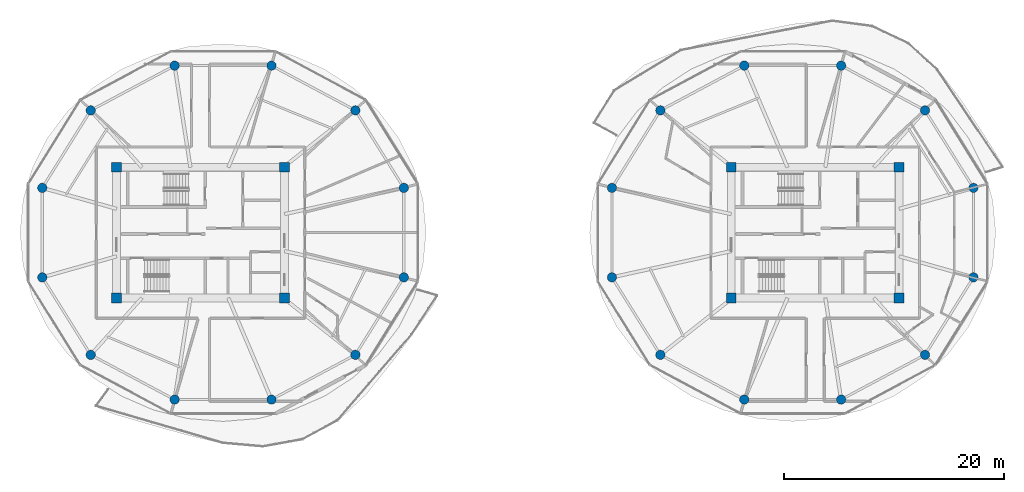
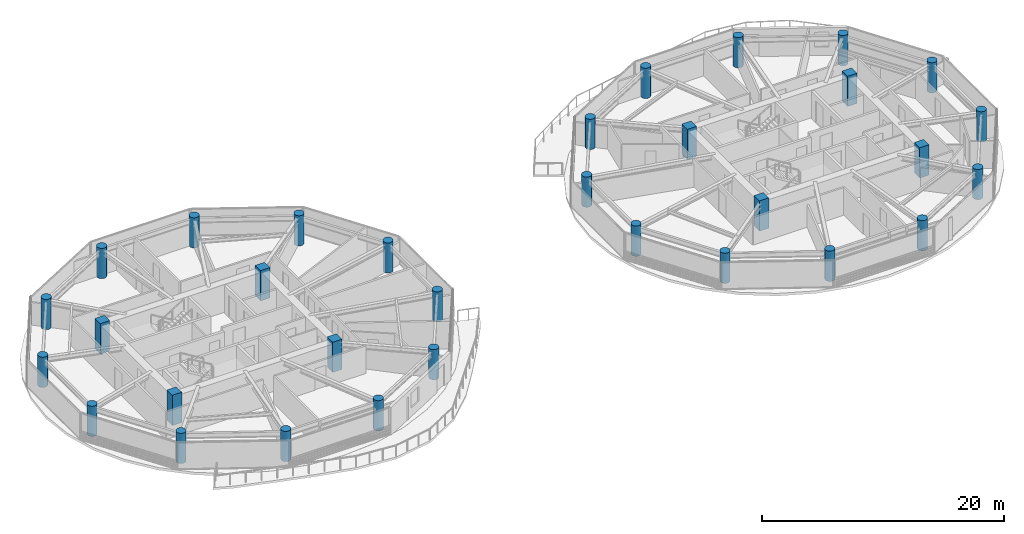
# One storey, part 1 of 24: 32 columns.
"""IFC4 building model written with IfcOpenShell, lengths in metres."""

from ifc_helpers import new_model, si_unit, direction, frame, origin, origin_2d, place, context, subcontext, project, spatial, rectangle, circle, extrude, source, transform, mapped, material, material_profile, profile_set, type_object, type_shapes, element, save


model = new_model("IFC4")

# Units and contexts
model_context = context("Model", 3, precision=1e-05, world=origin(), true_north=direction((0.0, 1.0)))
body_context = subcontext(model_context, "Body", "Model", "MODEL_VIEW")
ifc_project = project(units=[si_unit("LENGTHUNIT", "METRE"), si_unit("AREAUNIT", "SQUARE_METRE"), si_unit("VOLUMEUNIT", "CUBIC_METRE"), si_unit("PLANEANGLEUNIT", "RADIAN"), si_unit("MASSUNIT", "GRAM", prefix="KILO")], contexts=[model_context])

# Site, building, storey
site_placement = place(None, origin())
site = spatial("IfcSite", under=ifc_project, at=site_placement, CompositionType="ELEMENT")
building_placement = place(site_placement, origin())
building = spatial("IfcBuilding", under=site, at=building_placement, Name="Norrkilde Senior Care Towers", CompositionType="ELEMENT")
storey_placement = place(building_placement, frame((0.0, 0.0, 111.5)))
storey = spatial("IfcBuildingStorey", under=building, at=storey_placement, Name="L34", CompositionType="ELEMENT", Elevation=111.5)

# Columns
ifc_material = material(Name="Concrete C60/75", Category="concrete")
ifc_material_profile_1 = material_profile(ifc_material, rectangle(XDim=0.89990234375, YDim=0.89990234375, at=origin_2d()), Name="RC COL 900x900")
ifc_profile_set_1 = profile_set([ifc_material_profile_1], Name="Concrete C60/75")
column_type_1 = type_object("IfcColumnType", Name="Column Core Corner Z1-Z2 900", PredefinedType="COLUMN", material=ifc_profile_set_1)
shared_shape_1 = source(origin(), body_context, "Body", "SweptSolid", [
    extrude(rectangle(XDim=0.89990234375, YDim=0.89990234375, at=origin_2d()), origin(), (0.0, 0.0, 1.0), 3.050048828125),
])
type_shapes(column_type_1, [shared_shape_1])
for number, where, z_axis, x_axis, name in (
    (1, (-35.64990234375, -5.949951171875, 0.0), (0.0, 0.0, 1.0), (1.0, 0.0, 0.0), "L34 Core W Corner Column 1"),
    (2, (-20.35009765625, -5.949951171875, 0.0), (0.0, 0.0, 1.0), (1.0, 0.0, 0.0), "L34 Core W Corner Column 2"),
    (3, (-20.35009765625, 5.949951171875, 0.0), (0.0, 0.0, 1.0), (1.0, 0.0, 0.0), "L34 Core W Corner Column 3"),
    (4, (-35.64990234375, 5.949951171875, 0.0), (0.0, 0.0, 1.0), (1.0, 0.0, 0.0), "L34 Core W Corner Column 4"),
    (5, (20.35009765625, -5.949951171875, 0.0), (0.0, 0.0, 1.0), (1.0, 0.0, 0.0), "L34 Core E Corner Column 1"),
    (6, (35.64990234375, -5.949951171875, 0.0), (0.0, 0.0, 1.0), (1.0, 0.0, 0.0), "L34 Core E Corner Column 2"),
    (7, (35.64990234375, 5.949951171875, 0.0), (0.0, 0.0, 1.0), (1.0, 0.0, 0.0), "L34 Core E Corner Column 3"),
    (8, (20.35009765625, 5.949951171875, 0.0), (0.0, 0.0, 1.0), (1.0, 0.0, 0.0), "L34 Core E Corner Column 4"),
):
    element("IfcColumn", number, at=place(storey_placement, frame(where, z_axis=z_axis, x_axis=x_axis)), inside=storey, type_object=column_type_1, Name=name, PredefinedType="COLUMN", context=body_context, shape_type="MappedRepresentation", body=[
        mapped(shared_shape_1, transform((0.0, 0.0, 0.0), x_axis=(1.0, 0.0, 0.0), y_axis=(0.0, 1.0, 0.0), z_axis=(0.0, 0.0, 1.0), scale=1.0)),
    ])
ifc_material_profile_2 = material_profile(ifc_material, circle(Radius=0.425048828125, at=origin_2d()), Name="RC CIR 850")
ifc_profile_set_2 = profile_set([ifc_material_profile_2], Name="Concrete C60/75")
column_type_2 = type_object("IfcColumnType", Name="Column Perimeter Z2 850", PredefinedType="COLUMN", material=ifc_profile_set_2)
shared_shape_2 = source(origin(), body_context, "Body", "SweptSolid", [
    extrude(circle(Radius=0.425048828125, at=origin_2d()), origin(), (0.0, 0.0, 1.0), 3.050048828125),
])
type_shapes(column_type_2, [shared_shape_2])
for number, where, z_axis, x_axis, name in (
    (9, (-9.48095703125, 4.076416015625, 0.0), (0.0, 0.0, 1.0), (1.0, 0.0, 0.0), "L34 Drum W Perimeter Column 01"),
    (10, (-13.893798828125, 11.136962890625, 0.0), (0.0, 0.0, 1.0), (1.0, 0.0, 0.0), "L34 Drum W Perimeter Column 02"),
    (11, (-21.537109375, 15.21337890625, 0.0), (0.0, 0.0, 1.0), (1.0, 0.0, 0.0), "L34 Drum W Perimeter Column 03"),
    (12, (-30.36279296875, 15.21337890625, 0.0), (0.0, 0.0, 1.0), (1.0, 0.0, 0.0), "L34 Drum W Perimeter Column 04"),
    (13, (-38.006103515625, 11.136962890625, 0.0), (0.0, 0.0, 1.0), (1.0, 0.0, 0.0), "L34 Drum W Perimeter Column 05"),
    (14, (-42.4189453125, 4.076416015625, 0.0), (0.0, 0.0, 1.0), (1.0, 0.0, 0.0), "L34 Drum W Perimeter Column 06"),
    (15, (-42.4189453125, -4.076416015625, 0.0), (0.0, 0.0, 1.0), (1.0, 0.0, 0.0), "L34 Drum W Perimeter Column 07"),
    (16, (-38.006103515625, -11.136962890625, 0.0), (0.0, 0.0, 1.0), (1.0, 0.0, 0.0), "L34 Drum W Perimeter Column 08"),
    (17, (-30.36279296875, -15.21337890625, 0.0), (0.0, 0.0, 1.0), (1.0, 0.0, 0.0), "L34 Drum W Perimeter Column 09"),
    (18, (-21.537109375, -15.21337890625, 0.0), (0.0, 0.0, 1.0), (1.0, 0.0, 0.0), "L34 Drum W Perimeter Column 10"),
    (19, (-13.893798828125, -11.136962890625, 0.0), (0.0, 0.0, 1.0), (1.0, 0.0, 0.0), "L34 Drum W Perimeter Column 11"),
    (20, (-9.48095703125, -4.076416015625, 0.0), (0.0, 0.0, 1.0), (1.0, 0.0, 0.0), "L34 Drum W Perimeter Column 12"),
    (21, (42.4189453125, 4.076416015625, 0.0), (0.0, 0.0, 1.0), (1.0, 0.0, 0.0), "L34 Drum E Perimeter Column 01"),
    (22, (38.006103515625, 11.136962890625, 0.0), (0.0, 0.0, 1.0), (1.0, 0.0, 0.0), "L34 Drum E Perimeter Column 02"),
    (23, (30.36279296875, 15.21337890625, 0.0), (0.0, 0.0, 1.0), (1.0, 0.0, 0.0), "L34 Drum E Perimeter Column 03"),
    (24, (21.537109375, 15.21337890625, 0.0), (0.0, 0.0, 1.0), (1.0, 0.0, 0.0), "L34 Drum E Perimeter Column 04"),
    (25, (13.893798828125, 11.136962890625, 0.0), (0.0, 0.0, 1.0), (1.0, 0.0, 0.0), "L34 Drum E Perimeter Column 05"),
    (26, (9.48095703125, 4.076416015625, 0.0), (0.0, 0.0, 1.0), (1.0, 0.0, 0.0), "L34 Drum E Perimeter Column 06"),
    (27, (9.48095703125, -4.076416015625, 0.0), (0.0, 0.0, 1.0), (1.0, 0.0, 0.0), "L34 Drum E Perimeter Column 07"),
    (28, (13.893798828125, -11.136962890625, 0.0), (0.0, 0.0, 1.0), (1.0, 0.0, 0.0), "L34 Drum E Perimeter Column 08"),
    (29, (21.537109375, -15.21337890625, 0.0), (0.0, 0.0, 1.0), (1.0, 0.0, 0.0), "L34 Drum E Perimeter Column 09"),
    (30, (30.36279296875, -15.21337890625, 0.0), (0.0, 0.0, 1.0), (1.0, 0.0, 0.0), "L34 Drum E Perimeter Column 10"),
    (31, (38.006103515625, -11.136962890625, 0.0), (0.0, 0.0, 1.0), (1.0, 0.0, 0.0), "L34 Drum E Perimeter Column 11"),
    (32, (42.4189453125, -4.076416015625, 0.0), (0.0, 0.0, 1.0), (1.0, 0.0, 0.0), "L34 Drum E Perimeter Column 12"),
):
    element("IfcColumn", number, at=place(storey_placement, frame(where, z_axis=z_axis, x_axis=x_axis)), inside=storey, type_object=column_type_2, Name=name, PredefinedType="COLUMN", context=body_context, shape_type="MappedRepresentation", body=[
        mapped(shared_shape_2, transform((0.0, 0.0, 0.0), x_axis=(1.0, 0.0, 0.0), y_axis=(0.0, 1.0, 0.0), z_axis=(0.0, 0.0, 1.0), scale=1.0)),
    ])

save(model, "model.ifc")
